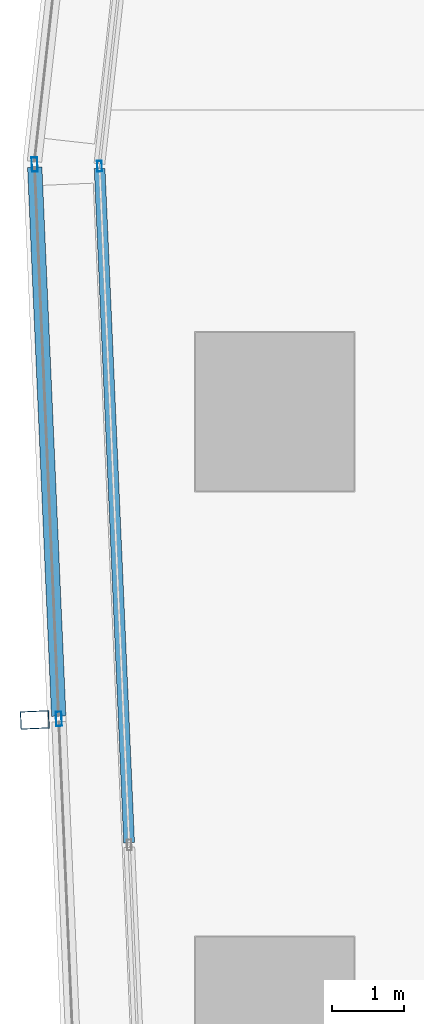
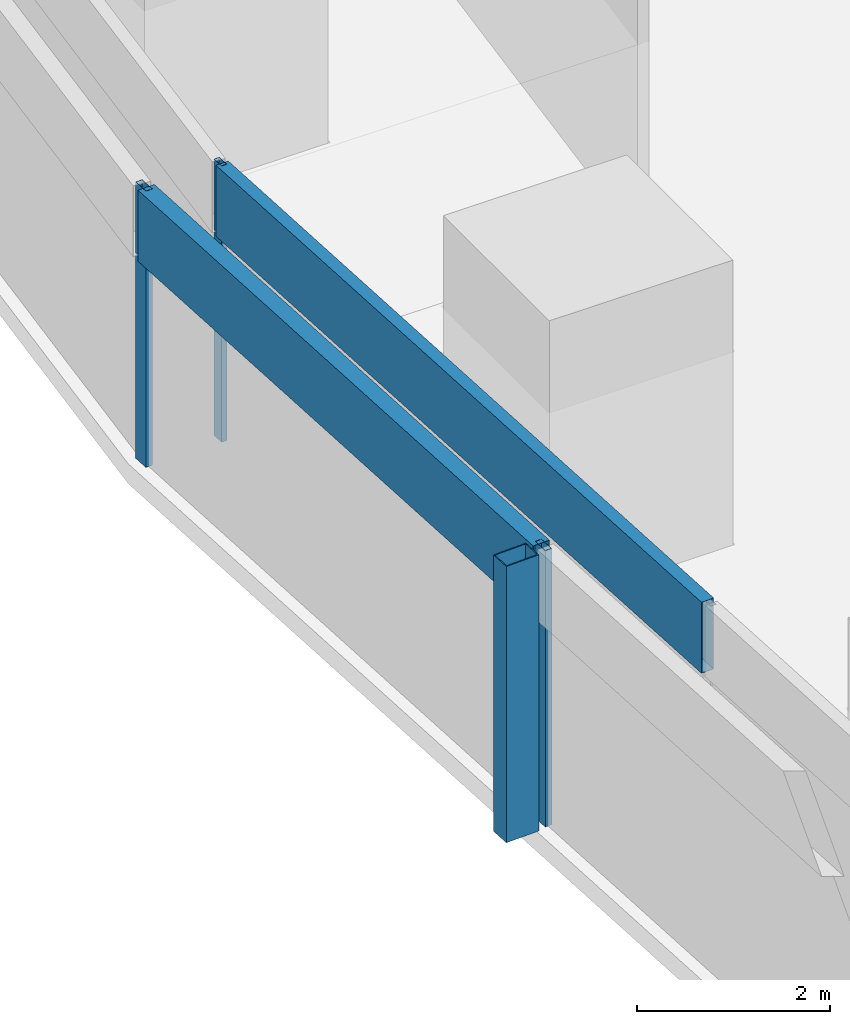
# One storey, part 14 of 42: 6 members, 2 elements without a shape of their own.
"""IFC4 building model written with IfcOpenShell, lengths in metres."""

import ifcopenshell
import ifcopenshell.guid

model = None  # the IFC model being written
_history = None  # IfcOwnerHistory: only IFC2X3 demands one
_inside = {}  # id of a spatial element -> (the spatial element, [elements in it])
_under = {}  # id of a project, library or spatial element -> (it, [spatial elements below it])
_declared = {}  # id of a project -> (the project, [libraries it declares])
_typed = {}  # id of a type object -> (the type object, [elements of that type])
_made_of = {}  # id of a material, layer set ... -> (it, [elements and type objects made of it])


def new_model(schema):
    """Start an empty IFC model of exactly this schema.

    Asked for "IFC4X3", IfcOpenShell would pick the latest addendum, in which some entities
    have other attributes; the version numbers below select the first issue.
    IFC2X3 requires an IfcOwnerHistory on every rooted entity: one is made here for all.
    """
    global model, _history
    if schema == "IFC4X3":
        model = ifcopenshell.file(schema_version=(4, 3, 0, 0))
    else:
        model = ifcopenshell.file(schema=schema)
    _inside.clear()
    _under.clear()
    _declared.clear()
    _typed.clear()
    _made_of.clear()
    _history = None
    if model.schema == "IFC2X3":
        org = make("IfcOrganization", Name="unknown")
        user = make(
            "IfcPersonAndOrganization",
            ThePerson=make("IfcPerson", FamilyName="unknown"),
            TheOrganization=org,
        )
        app = make(
            "IfcApplication",
            ApplicationDeveloper=org,
            Version="unknown",
            ApplicationFullName="unknown",
            ApplicationIdentifier="unknown",
        )
        _history = make(
            "IfcOwnerHistory",
            OwningUser=user,
            OwningApplication=app,
            ChangeAction="ADDED",
            CreationDate=0,
        )
    return model


def make(cls, **values):
    """One entity of the class cls with the attributes given. An attribute that is None is left unset."""
    return model.create_entity(
        cls, **{name: value for name, value in values.items() if value is not None}
    )


def rooted(cls, **values):
    """An entity with a GlobalId (a new one), such as an element, a storey or a relation."""
    return make(cls, GlobalId=ifcopenshell.guid.new(), OwnerHistory=_history, **values)


def si_unit(unit_type, name, prefix=None):
    """IfcSIUnit, for example si_unit("LENGTHUNIT", "METRE", prefix="MILLI")."""
    return make("IfcSIUnit", UnitType=unit_type, Prefix=prefix, Name=name)


def assignment(units):
    """IfcUnitAssignment: the units of a project."""
    return None if units is None else make("IfcUnitAssignment", Units=units)


def point(xyz):
    """IfcCartesianPoint."""
    return None if xyz is None else make("IfcCartesianPoint", Coordinates=xyz)


def direction(xyz):
    """IfcDirection."""
    return None if xyz is None else make("IfcDirection", DirectionRatios=xyz)


def frame(location, z_axis=None, x_axis=None):
    """IfcAxis2Placement3D, a coordinate frame: its origin and axes. An axis left out is left unset."""
    return make(
        "IfcAxis2Placement3D",
        Location=point(location),
        Axis=direction(z_axis),
        RefDirection=direction(x_axis),
    )


def frame_2d(location, x_axis=None):
    """IfcAxis2Placement2D, a coordinate frame in the plane: its origin and x axis."""
    return make(
        "IfcAxis2Placement2D", Location=point(location), RefDirection=direction(x_axis)
    )


def origin():
    """The frame at (0, 0, 0) with its axes left unset."""
    return frame((0.0, 0.0, 0.0))


def origin_2d():
    """The frame at (0, 0) in the plane with its x axis left unset."""
    return frame_2d((0.0, 0.0))


def place(relative_to, where):
    """IfcLocalPlacement: puts the frame where relative to a parent placement (None: the world)."""
    return make(
        "IfcLocalPlacement", PlacementRelTo=relative_to, RelativePlacement=where
    )


def context(
    kind, dimensions, precision=None, world=None, true_north=None, identifier=None
):
    """IfcGeometricRepresentationContext, for example the 3D "Model" context."""
    return make(
        "IfcGeometricRepresentationContext",
        ContextIdentifier=identifier,
        ContextType=kind,
        CoordinateSpaceDimension=dimensions,
        Precision=precision,
        WorldCoordinateSystem=world,
        TrueNorth=true_north,
    )


def subcontext(parent, identifier, kind, view, scale=None):
    """IfcGeometricRepresentationSubContext, for example "Body" below "Model"."""
    return make(
        "IfcGeometricRepresentationSubContext",
        ContextIdentifier=identifier,
        ContextType=kind,
        ParentContext=parent,
        TargetScale=scale,
        TargetView=view,
    )


def project(units=None, contexts=None):
    """IfcProject with its units and contexts."""
    return rooted(
        "IfcProject",
        Name="project",
        RepresentationContexts=contexts,
        UnitsInContext=assignment(units),
    )


def spatial(cls, under=None, at=None, **own):
    """A site, building, storey or space (cls), placed at a placement, below another one or the project."""
    s = rooted(cls, ObjectPlacement=at, **own)
    if under is not None:
        _under.setdefault(under.id(), (under, []))[1].append(s)
    return s


def profile(cls, at=None, kind="AREA", **sizes):
    """A parametric profile (cls). Its sizes go by their IFC names, for example OverallWidth=200.0."""
    return make(cls, ProfileType=kind, Position=at, **sizes)


def hollow_rectangle(**sizes):
    """IfcRectangleHollowProfileDef."""
    return profile("IfcRectangleHollowProfileDef", **sizes)


def extrude(swept, where, along, depth):
    """IfcExtrudedAreaSolid: the profile swept, set in the frame where, extruded along a direction by depth."""
    return make(
        "IfcExtrudedAreaSolid",
        SweptArea=swept,
        Position=where,
        ExtrudedDirection=direction(along),
        Depth=depth,
    )


def shape(context_of_items, identifier, shape_type, items):
    """IfcShapeRepresentation: the items that make up one representation, for example the "Body"."""
    return make(
        "IfcShapeRepresentation",
        ContextOfItems=context_of_items,
        RepresentationIdentifier=identifier,
        RepresentationType=shape_type,
        Items=items,
    )


def material(Name=None, Category=None):
    """IfcMaterial."""
    return make("IfcMaterial", Name=Name, Category=Category)


def material_profile(
    of_material, cross_section, Name=None, Category=None, Priority=None
):
    """IfcMaterialProfile: a cross section and its material."""
    return make(
        "IfcMaterialProfile",
        Name=Name,
        Material=of_material,
        Profile=cross_section,
        Priority=Priority,
        Category=Category,
    )


def profile_set(profiles, Name=None, composite=None):
    """IfcMaterialProfileSet."""
    return make(
        "IfcMaterialProfileSet",
        Name=Name,
        MaterialProfiles=profiles,
        CompositeProfile=composite,
    )


def made_of(thing, what):
    """Note that an element or type object is made of a material, layer set ...; save() writes the relation."""
    if what is not None:
        _made_of.setdefault(what.id(), (what, []))[1].append(thing)
    return thing


def type_object(cls, material=None, **own):
    """A type object (cls), such as IfcWallType, which elements share."""
    return made_of(rooted(cls, **own), material)


def element(
    cls,
    number,
    at=None,
    inside=None,
    cuts=None,
    type_object=None,
    material=None,
    context=None,
    identifier="Body",
    shape_type=None,
    held_by="IfcProductDefinitionShape",
    body=None,
    shapes=None,
    **own,
):
    """One element of the class cls, such as IfcWall. Its Tag is "e" and its number.

    at: its placement. inside: the storey or other place that contains it. cuts: it is an
    opening in that element (IfcRelVoidsElement). A single representation is given by context,
    identifier, shape_type and body (its items); several are given by shapes. held_by: the class
    of the entity that holds the representations. save() writes the other relations.
    """
    e = rooted(cls, Tag="e%d" % number, ObjectPlacement=at, **own)
    if body is not None:
        shapes = [shape(context, identifier, shape_type, body)]
    if shapes is not None:
        e.Representation = make(held_by, Representations=shapes)
    if inside is not None:
        _inside.setdefault(inside.id(), (inside, []))[1].append(e)
    if cuts is not None:
        rooted(
            "IfcRelVoidsElement", RelatingBuildingElement=cuts, RelatedOpeningElement=e
        )
    if type_object is not None:
        _typed.setdefault(type_object.id(), (type_object, []))[1].append(e)
    return made_of(e, material)


def aggregate(whole, parts):
    """IfcRelAggregates: a whole, such as a stair, and the parts it consists of."""
    return rooted("IfcRelAggregates", RelatingObject=whole, RelatedObjects=parts)


def save(model, path):
    """Write the relations noted so far, then the file.

    IfcRelAggregates (storeys below a building ...), IfcRelContainedInSpatialStructure (elements
    in a storey), IfcRelDefinesByType, IfcRelAssociatesMaterial and IfcRelDeclares: one each for
    every whole, place, type object, material and project.
    """
    for whole, parts in _under.values():
        aggregate(whole, parts)
    for where, things in _inside.values():
        rooted(
            "IfcRelContainedInSpatialStructure",
            RelatedElements=things,
            RelatingStructure=where,
        )
    for kind, things in _typed.values():
        rooted("IfcRelDefinesByType", RelatedObjects=things, RelatingType=kind)
    for what, things in _made_of.values():
        rooted("IfcRelAssociatesMaterial", RelatedObjects=things, RelatingMaterial=what)
    for by, libraries in _declared.values():
        rooted("IfcRelDeclares", RelatingContext=by, RelatedDefinitions=libraries)
    model.write(path)


model = new_model("IFC4")

# Units and contexts
model_context = context("Model", 3, precision=1e-05, world=origin(), true_north=direction((0.0, 1.0)))
body_context = subcontext(model_context, "Body", "Model", "MODEL_VIEW")
ifc_project = project(units=[si_unit("LENGTHUNIT", "METRE"), si_unit("AREAUNIT", "SQUARE_METRE"), si_unit("VOLUMEUNIT", "CUBIC_METRE"), si_unit("PLANEANGLEUNIT", "RADIAN"), si_unit("MASSUNIT", "GRAM", prefix="KILO")], contexts=[model_context])

# Site, building, storey
site_placement = place(None, origin())
site = spatial("IfcSite", under=ifc_project, at=site_placement, CompositionType="ELEMENT")
building_placement = place(site_placement, origin())
building = spatial("IfcBuilding", under=site, at=building_placement, Name="Rekha Terrace Tower", CompositionType="ELEMENT")
storey_placement = place(building_placement, frame((0.0, 0.0, 70.39990234375)))
storey = spatial("IfcBuildingStorey", under=building, at=storey_placement, Name="L17", CompositionType="ELEMENT", Elevation=70.39990234375)

# Curtain wall, member
ifc_material_1 = material(Name="Aluminium framing", Category="aluminium")
curtain_wall_type_1 = type_object("IfcCurtainWallType", Name="CW2 double skin outer glazing", PredefinedType="USERDEFINED", material=ifc_material_1)
curtain_wall_1_placement = place(storey_placement, origin())
curtain_wall_1 = element("IfcCurtainWall", 1, at=curtain_wall_1_placement, inside=storey, type_object=curtain_wall_type_1, Name="CW2 double skin outer glazing", ObjectType="DOUBLE SKIN OUTER GLAZING", PredefinedType="USERDEFINED")
ifc_material_2 = material(Name="Steel S355 with fluorocarbon finish", Category="steel")
ifc_material_profile_1 = material_profile(ifc_material_2, hollow_rectangle(XDim=0.25, YDim=0.39990234375, WallThickness=0.012451171875, at=origin_2d()), Name="RHS400x250x12.5")
ifc_profile_set_1 = profile_set([ifc_material_profile_1], Name="Steel S355 with fluorocarbon finish")
member_type_1 = type_object("IfcMemberType", Name="BL1 facade blade RHS 400 x 250", PredefinedType="USERDEFINED", material=ifc_profile_set_1)
member_1_placement = place(storey_placement, frame((5.064208984375, 37.715576171875, 0.0), z_axis=(0.0, 0.0, 1.0), x_axis=(0.04368215933, -0.999045478923, 0.0)))
member_1 = element("IfcMember", 2, at=member_1_placement, type_object=member_type_1, Name="Facade blade", ObjectType="FACADE BLADE", PredefinedType="USERDEFINED", context=body_context, shape_type="SweptSolid", body=[
    extrude(hollow_rectangle(XDim=0.25, YDim=0.39990234375, WallThickness=0.012451171875, at=origin_2d()), origin(), (0.0, 0.0, 1.0), 3.5),
])

# Curtain wall, members
curtain_wall_type_2 = type_object("IfcCurtainWallType", Name="CW1 double skin inner glazing", PredefinedType="USERDEFINED", material=ifc_material_1)
curtain_wall_2_placement = place(storey_placement, origin())
curtain_wall_2 = element("IfcCurtainWall", 3, at=curtain_wall_2_placement, inside=storey, type_object=curtain_wall_type_2, Name="CW1 double skin inner glazing", ObjectType="DOUBLE SKIN INNER GLAZING", PredefinedType="USERDEFINED")
ifc_material_3 = material(Name="Aluminium mullion section", Category="aluminium")
ifc_material_profile_2 = material_profile(ifc_material_3, hollow_rectangle(XDim=0.06494140625, YDim=0.14990234375, WallThickness=0.00390625, at=origin_2d()), Name="AL RHS 65x150")
ifc_profile_set_2 = profile_set([ifc_material_profile_2], Name="Aluminium mullion section")
member_type_2 = type_object("IfcMemberType", Name="CW1 mullion RHS 65 x 150", PredefinedType="MULLION", material=ifc_profile_set_2)
member_2_placement = place(storey_placement, frame((5.964111328125, 45.4111328125, 0.0), z_axis=(0.0, 0.0, 1.0), x_axis=(0.999045462133, 0.043682543337, 0.0)))
member_2 = element("IfcMember", 4, at=member_2_placement, type_object=member_type_2, Name="CW1 mullion 1", PredefinedType="MULLION", context=body_context, shape_type="SweptSolid", body=[
    extrude(hollow_rectangle(XDim=0.06494140625, YDim=0.14990234375, WallThickness=0.00390625, at=origin_2d()), origin(), (0.0, 0.0, 1.0), 3.5),
])
ifc_material_4 = material(Name="Insulated aluminium spandrel box", Category="aluminium")
ifc_material_profile_3 = material_profile(ifc_material_4, hollow_rectangle(XDim=0.14990234375, YDim=0.89990234375, WallThickness=0.0029296875, at=origin_2d()), Name="AL SPANDREL BOX 150x900")
ifc_profile_set_3 = profile_set([ifc_material_profile_3], Name="Insulated aluminium spandrel box")
member_type_3 = type_object("IfcMemberType", Name="CW1 spandrel transom 150 x 900", PredefinedType="USERDEFINED", material=ifc_profile_set_3)
member_3_placement = place(storey_placement, frame((5.96533203125, 45.378662109375, 3.050048828125), z_axis=(0.043689187094, -0.999045171617, 0.0), x_axis=(0.999045171617, 0.043689187094, 0.0)))
member_3 = element("IfcMember", 5, at=member_3_placement, type_object=member_type_3, Name="CW1 spandrel transom 1", ObjectType="TRANSOM", PredefinedType="USERDEFINED", context=body_context, shape_type="SweptSolid", body=[
    extrude(hollow_rectangle(XDim=0.14990234375, YDim=0.89990234375, WallThickness=0.0029296875, at=origin_2d()), origin(), (0.0, 0.0, 1.0), 9.376953125),
])
aggregate(curtain_wall_2, [member_2, member_3])

# Member
ifc_material_profile_4 = material_profile(ifc_material_3, hollow_rectangle(XDim=0.080078125, YDim=0.199951171875, WallThickness=0.00390625, at=origin_2d()), Name="AL RHS 80x200")
ifc_profile_set_4 = profile_set([ifc_material_profile_4], Name="Aluminium mullion section")
member_type_4 = type_object("IfcMemberType", Name="CW2 mullion RHS 80 x 200", PredefinedType="MULLION", material=ifc_profile_set_4)
member_4_placement = place(storey_placement, frame((5.062255859375, 45.4345703125, 0.0), z_axis=(0.0, 0.0, 1.0), x_axis=(0.999045462131, 0.043682543372, 0.0)))
member_4 = element("IfcMember", 6, at=member_4_placement, type_object=member_type_4, Name="CW2 mullion 1", PredefinedType="MULLION", context=body_context, shape_type="SweptSolid", body=[
    extrude(hollow_rectangle(XDim=0.080078125, YDim=0.199951171875, WallThickness=0.00390625, at=origin_2d()), origin(), (0.0, 0.0, 1.0), 3.5),
])

member_5_placement = place(storey_placement, frame((5.39892578125, 37.730224609375, 0.0), z_axis=(0.0, 0.0, 1.0), x_axis=(0.999045462131, 0.043682543372, 0.0)))
member_5 = element("IfcMember", 7, at=member_5_placement, type_object=member_type_4, Name="CW2 mullion 2", PredefinedType="MULLION", context=body_context, shape_type="SweptSolid", body=[
    extrude(hollow_rectangle(XDim=0.080078125, YDim=0.199951171875, WallThickness=0.00390625, at=origin_2d()), origin(), (0.0, 0.0, 1.0), 3.5),
])

ifc_material_profile_5 = material_profile(ifc_material_4, hollow_rectangle(XDim=0.199951171875, YDim=0.89990234375, WallThickness=0.0029296875, at=origin_2d()), Name="AL SPANDREL BOX 200x900")
ifc_profile_set_5 = profile_set([ifc_material_profile_5], Name="Insulated aluminium spandrel box")
member_type_5 = type_object("IfcMemberType", Name="CW2 spandrel transom 200 x 900", PredefinedType="USERDEFINED", material=ifc_profile_set_5)
member_6_placement = place(storey_placement, frame((5.06396484375, 45.39453125, 3.050048828125), z_axis=(0.043666283256, -0.99904617296, 0.0), x_axis=(0.99904617296, 0.043666283256, 0.0)))
member_6 = element("IfcMember", 8, at=member_6_placement, type_object=member_type_5, Name="CW2 spandrel transom 1", ObjectType="TRANSOM", PredefinedType="USERDEFINED", context=body_context, shape_type="SweptSolid", body=[
    extrude(hollow_rectangle(XDim=0.199951171875, YDim=0.89990234375, WallThickness=0.0029296875, at=origin_2d()), origin(), (0.0, 0.0, 1.0), 7.6318359375),
])

aggregate(curtain_wall_1, [member_4, member_5, member_6, member_1])

save(model, "model.ifc")
